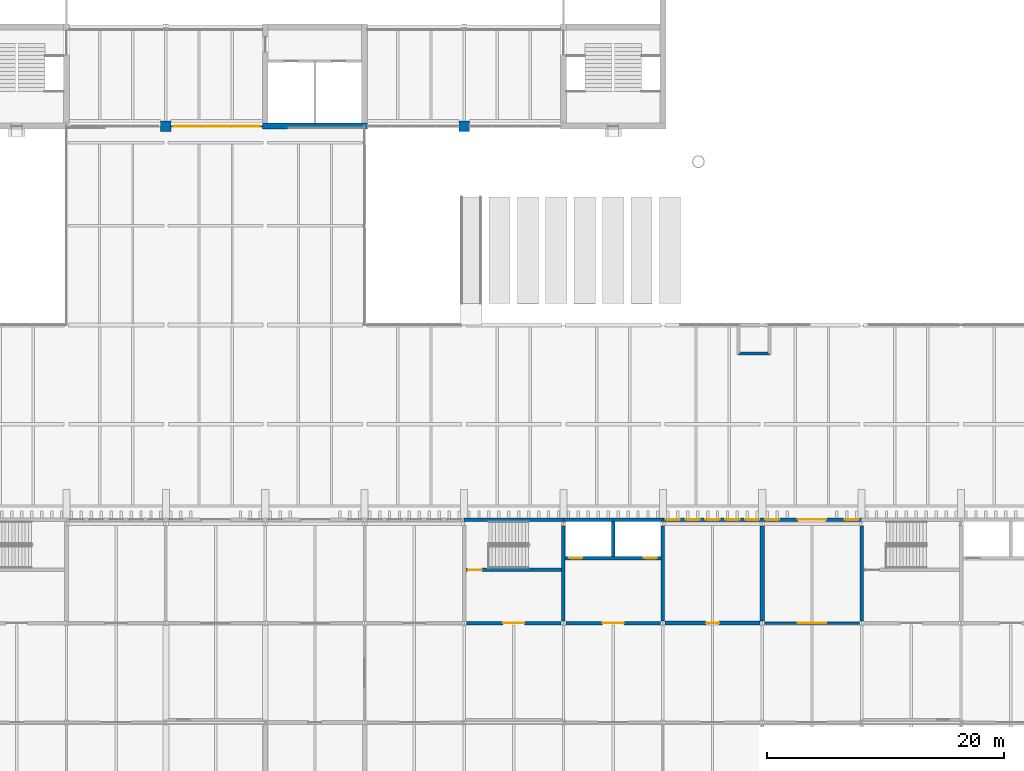
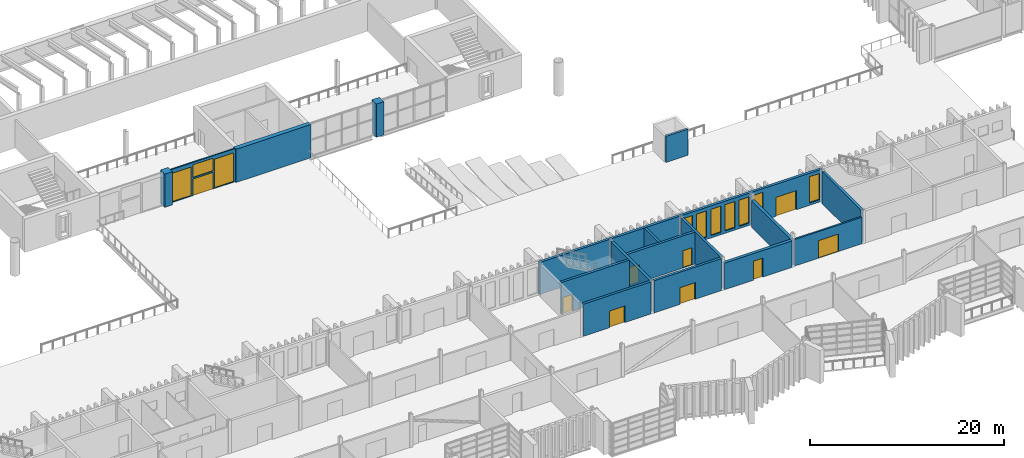
# One storey, part 62 of 96: 19 walls, 10 windows, 9 doors, 19 openings.
"""IFC4 building model written with IfcOpenShell, lengths in metres."""

from ifc_helpers import new_model, si_unit, direction, frame, frame_2d, origin, place, context, subcontext, project, spatial, rectangle, extrude, material, layer, layer_set, type_object, element, fill, save


model = new_model("IFC4")

# Units and contexts
model_context = context("Model", 3, precision=1e-05, world=origin(), true_north=direction((0.0, 1.0)))
body_context = subcontext(model_context, "Body", "Model", "MODEL_VIEW")
ifc_project = project(units=[si_unit("LENGTHUNIT", "METRE"), si_unit("AREAUNIT", "SQUARE_METRE"), si_unit("VOLUMEUNIT", "CUBIC_METRE"), si_unit("PLANEANGLEUNIT", "RADIAN"), si_unit("MASSUNIT", "GRAM", prefix="KILO")], contexts=[model_context])

# Site, building, storey
site_placement = place(None, origin())
site = spatial("IfcSite", under=ifc_project, at=site_placement, CompositionType="ELEMENT")
building_placement = place(site_placement, origin())
building = spatial("IfcBuilding", under=site, at=building_placement, Name="Cresset Court Congress Hotel", CompositionType="ELEMENT")
storey_placement = place(building_placement, frame((0.0, 0.0, 6.0)))
storey = spatial("IfcBuildingStorey", under=building, at=storey_placement, Name="L01", CompositionType="ELEMENT", Elevation=6.0)

# Wall, opening, door
ifc_material_1 = material(Name="Double gypsum board leaves on steel studs with mineral wool", Category="steel")
ifc_layer_1 = layer(ifc_material_1, 0.35009765625)
ifc_layer_set_1 = layer_set([ifc_layer_1], Name="Acoustic double-leaf boardroom wall 350")
wall_type_1 = type_object("IfcWallType", Name="Acoustic double-leaf boardroom wall 350", PredefinedType="PARTITIONING", material=ifc_layer_set_1)
wall_1_placement = place(storey_placement, frame((117.77490234375, 16.800048828125, 0.0), z_axis=(0.0, 0.0, 1.0), x_axis=(1.0, 0.0, 0.0)))
wall_1 = element("IfcWall", 1, at=wall_1_placement, inside=storey, type_object=wall_type_1, Name="Boardroom acoustic wall", PredefinedType="PARTITIONING", context=body_context, shape_type="SweptSolid", body=[
    extrude(rectangle(XDim=8.050048828125, YDim=0.35009765625, at=frame_2d((4.02490234375, 0.0))), origin(), (0.0, 0.0, 1.0), 3.35009765625),
])
opening_1_placement = place(wall_1_placement, frame((3.47509765625, 0.0, 0.0)))
opening_1 = element("IfcOpeningElement", 2, at=opening_1_placement, cuts=wall_1, Name="Opening DB-01-28", PredefinedType="OPENING", context=body_context, shape_type="SweptSolid", body=[
    extrude(rectangle(XDim=1.10009765625, YDim=2.39990234375, at=frame_2d((0.550048828125, 1.199951171875))), frame((0.0, 0.18505859375, 0.0), z_axis=(0.0, -1.0, 0.0), x_axis=(1.0, 0.0, 0.0)), (0.0, 0.0, 1.0), 0.3701171875),
])
ifc_material_2 = material(Name="Solid-core timber with acoustic seals", Category="wood")
door_type_1 = type_object("IfcDoorType", Name="Boardroom acoustic door FD30 1100x2400", OperationType="SINGLE_SWING_LEFT", PredefinedType="DOOR", material=ifc_material_2)
door_1_placement = place(opening_1_placement, origin())
door_1 = element("IfcDoor", 3, at=door_1_placement, inside=storey, type_object=door_type_1, Name="Boardroom door", OperationType="SINGLE_SWING_LEFT", OverallHeight=2.39990234375, OverallWidth=1.10009765625, PredefinedType="DOOR", context=body_context, shape_type="SweptSolid", body=[
    extrude(rectangle(XDim=1.10009765625, YDim=2.39990234375, at=frame_2d((0.550048828125, 1.199951171875))), frame((0.0, 0.02490234375, 0.0), z_axis=(0.0, -1.0, 0.0), x_axis=(1.0, 0.0, 0.0)), (0.0, 0.0, 1.0), 0.050048828125),
])
fill(opening_1, door_1)

# Walls
wall_2_placement = place(storey_placement, frame((126.0, 16.97509765625, 0.0), z_axis=(0.0, 0.0, 1.0), x_axis=(0.0, 1.0, 0.0)))
element("IfcWall", 4, at=wall_2_placement, inside=storey, type_object=wall_type_1, Name="Boardroom acoustic wall", PredefinedType="PARTITIONING", context=body_context, shape_type="SweptSolid", body=[
    extrude(rectangle(XDim=8.0498046875, YDim=0.35009765625, at=frame_2d((4.02490234375, 0.0))), origin(), (0.0, 0.0, 1.0), 3.35009765625),
])
ifc_material_3 = material(Name="Concrete C50", Category="concrete")
ifc_layer_2 = layer(ifc_material_3, 0.300048828125)
ifc_layer_set_2 = layer_set([ifc_layer_2], Name="Core wall 300 Concrete C50")
wall_type_2 = type_object("IfcWallType", Name="Core wall 300 Concrete C50", PredefinedType="SHEAR", material=ifc_layer_set_2)
for number, where, z_axis, x_axis, name in (
    (5, (109.199951171875, 17.0, 0.0), (0.0, 0.0, 1.0), (0.0, 1.0, 0.0), "Core wall LC-B2"),
    (6, (117.60009765625, 17.0, 0.0), (0.0, 0.0, 1.0), (0.0, 1.0, 0.0), "Core wall LC-B2"),
):
    element("IfcWall", number, at=place(storey_placement, frame(where, z_axis=z_axis, x_axis=x_axis)), inside=storey, type_object=wall_type_2, Name=name, PredefinedType="SHEAR", context=body_context, shape_type="SweptSolid", body=[
        extrude(rectangle(XDim=8.0, YDim=0.300048828125, at=frame_2d((4.0, 0.0))), origin(), (0.0, 0.0, 1.0), 4.050048828125),
    ])

# Wall, opening, door
wall_3_placement = place(storey_placement, frame((109.39990234375, 16.800048828125, 0.0), z_axis=(0.0, 0.0, 1.0), x_axis=(1.0, 0.0, 0.0)))
wall_3 = element("IfcWall", 7, at=wall_3_placement, inside=storey, type_object=wall_type_2, Name="Core wall LC-B2", PredefinedType="SHEAR", context=body_context, shape_type="SweptSolid", body=[
    extrude(rectangle(XDim=8.0, YDim=0.300048828125, at=frame_2d((4.0, 0.0))), origin(), (0.0, 0.0, 1.0), 4.050048828125),
])
opening_2_placement = place(wall_3_placement, frame((3.10009765625, 0.0, 0.0)))
opening_2 = element("IfcOpeningElement", 8, at=opening_2_placement, cuts=wall_3, Name="Opening DB-01-39", PredefinedType="OPENING", context=body_context, shape_type="SweptSolid", body=[
    extrude(rectangle(XDim=1.800048828125, YDim=2.10009765625, at=frame_2d((0.89990234375, 1.050048828125))), frame((0.0, 0.159912109375, 0.0), z_axis=(0.0, -1.0, 0.0), x_axis=(1.0, 0.0, 0.0)), (0.0, 0.0, 1.0), 0.320068359375),
])
ifc_material_4 = material(Name="Timber and steel frame", Category="steel")
door_type_2 = type_object("IfcDoorType", Name="Lobby fire door FD60 double 1800x2100", OperationType="DOUBLE_DOOR_SINGLE_SWING", PredefinedType="DOOR", material=ifc_material_4)
door_2_placement = place(opening_2_placement, origin())
door_2 = element("IfcDoor", 9, at=door_2_placement, inside=storey, type_object=door_type_2, Name="Lift lobby door LC-B2", OperationType="DOUBLE_DOOR_SINGLE_SWING", OverallHeight=2.10009765625, OverallWidth=1.800048828125, PredefinedType="DOOR", context=body_context, shape_type="SweptSolid", body=[
    extrude(rectangle(XDim=1.800048828125, YDim=2.10009765625, at=frame_2d((0.89990234375, 1.050048828125))), frame((0.0, 0.02490234375, 0.0), z_axis=(0.0, -1.0, 0.0), x_axis=(1.0, 0.0, 0.0)), (0.0, 0.0, 1.0), 0.050048828125),
])
fill(opening_2, door_2)

# Wall, openings, doors
wall_4_placement = place(storey_placement, frame((109.35009765625, 22.300048828125, 0.0), z_axis=(0.0, 0.0, 1.0), x_axis=(1.0, 0.0, 0.0)))
wall_4 = element("IfcWall", 10, at=wall_4_placement, inside=storey, type_object=wall_type_2, Name="Core wall LC-B2", PredefinedType="SHEAR", context=body_context, shape_type="SweptSolid", body=[
    extrude(rectangle(XDim=8.099853515625, YDim=0.300048828125, at=frame_2d((4.0498046875, 0.0))), origin(), (0.0, 0.0, 1.0), 4.050048828125),
])
opening_3_placement = place(wall_4_placement, frame((0.35009765625, 0.0, 0.0)))
opening_3 = element("IfcOpeningElement", 11, at=opening_3_placement, cuts=wall_4, Name="Opening LD-B2-05", PredefinedType="OPENING", context=body_context, shape_type="SweptSolid", body=[
    extrude(rectangle(XDim=1.10009765625, YDim=2.199951171875, at=frame_2d((0.550048828125, 1.10009765625))), frame((0.0, 0.159912109375, 0.0), z_axis=(0.0, -1.0, 0.0), x_axis=(1.0, 0.0, 0.0)), (0.0, 0.0, 1.0), 0.320068359375),
])
opening_4_placement = place(wall_4_placement, frame((6.64990234375, 0.0, 0.0)))
opening_4 = element("IfcOpeningElement", 12, at=opening_4_placement, cuts=wall_4, Name="Opening LD-B2-06", PredefinedType="OPENING", context=body_context, shape_type="SweptSolid", body=[
    extrude(rectangle(XDim=1.10009765625, YDim=2.199951171875, at=frame_2d((0.550048828125, 1.10009765625))), frame((0.0, 0.159912109375, 0.0), z_axis=(0.0, -1.0, 0.0), x_axis=(1.0, 0.0, 0.0)), (0.0, 0.0, 1.0), 0.320068359375),
])
ifc_material_5 = material(Name="Stainless steel", Category="steel")
door_type_3 = type_object("IfcDoorType", Name="Lift landing door sliding 1100x2200", OperationType="SLIDING_TO_LEFT", PredefinedType="DOOR", material=ifc_material_5)
door_3_placement = place(opening_3_placement, origin())
door_3 = element("IfcDoor", 13, at=door_3_placement, inside=storey, type_object=door_type_3, Name="Lift landing door LD-B2-05", OperationType="SLIDING_TO_LEFT", OverallHeight=2.199951171875, OverallWidth=1.10009765625, PredefinedType="DOOR", context=body_context, shape_type="SweptSolid", body=[
    extrude(rectangle(XDim=1.10009765625, YDim=2.199951171875, at=frame_2d((0.550048828125, 1.10009765625))), frame((0.0, 0.02490234375, 0.0), z_axis=(0.0, -1.0, 0.0), x_axis=(1.0, 0.0, 0.0)), (0.0, 0.0, 1.0), 0.050048828125),
])
fill(opening_3, door_3)
door_4_placement = place(opening_4_placement, origin())
door_4 = element("IfcDoor", 14, at=door_4_placement, inside=storey, type_object=door_type_3, Name="Lift landing door LD-B2-06", OperationType="SLIDING_TO_LEFT", OverallHeight=2.199951171875, OverallWidth=1.10009765625, PredefinedType="DOOR", context=body_context, shape_type="SweptSolid", body=[
    extrude(rectangle(XDim=1.10009765625, YDim=2.199951171875, at=frame_2d((0.550048828125, 1.10009765625))), frame((0.0, 0.02490234375, 0.0), z_axis=(0.0, -1.0, 0.0), x_axis=(1.0, 0.0, 0.0)), (0.0, 0.0, 1.0), 0.050048828125),
])
fill(opening_4, door_4)

# Wall
wall_5_placement = place(storey_placement, frame((113.39990234375, 22.449951171875, 0.0), z_axis=(0.0, 0.0, 1.0), x_axis=(0.0, 1.0, 0.0)))
element("IfcWall", 15, at=wall_5_placement, inside=storey, type_object=wall_type_2, Name="Core wall LC-B2", PredefinedType="SHEAR", context=body_context, shape_type="SweptSolid", body=[
    extrude(rectangle(XDim=2.949951171875, YDim=0.300048828125, at=frame_2d((1.47509765625, 0.0))), origin(), (0.0, 0.0, 1.0), 4.050048828125),
])

# Wall, opening, door
wall_6_placement = place(storey_placement, frame((101.0, 16.800048828125, 0.0), z_axis=(0.0, 0.0, 1.0), x_axis=(1.0, 0.0, 0.0)))
wall_6 = element("IfcWall", 16, at=wall_6_placement, inside=storey, type_object=wall_type_2, Name="Core wall ST-B4", PredefinedType="SHEAR", context=body_context, shape_type="SweptSolid", body=[
    extrude(rectangle(XDim=8.0, YDim=0.300048828125, at=frame_2d((4.0, 0.0))), origin(), (0.0, 0.0, 1.0), 4.050048828125),
])
opening_5_placement = place(wall_6_placement, frame((3.10009765625, 0.0, 0.0)))
opening_5 = element("IfcOpeningElement", 17, at=opening_5_placement, cuts=wall_6, Name="Opening DB-01-52", PredefinedType="OPENING", context=body_context, shape_type="SweptSolid", body=[
    extrude(rectangle(XDim=1.800048828125, YDim=2.10009765625, at=frame_2d((0.89990234375, 1.050048828125))), frame((0.0, 0.159912109375, 0.0), z_axis=(0.0, -1.0, 0.0), x_axis=(1.0, 0.0, 0.0)), (0.0, 0.0, 1.0), 0.320068359375),
])
door_5_placement = place(opening_5_placement, origin())
door_5 = element("IfcDoor", 18, at=door_5_placement, inside=storey, type_object=door_type_2, Name="Stair lobby door ST-B4", OperationType="DOUBLE_DOOR_SINGLE_SWING", OverallHeight=2.10009765625, OverallWidth=1.800048828125, PredefinedType="DOOR", context=body_context, shape_type="SweptSolid", body=[
    extrude(rectangle(XDim=1.800048828125, YDim=2.10009765625, at=frame_2d((0.89990234375, 1.050048828125))), frame((0.0, 0.02490234375, 0.0), z_axis=(0.0, -1.0, 0.0), x_axis=(1.0, 0.0, 0.0)), (0.0, 0.0, 1.0), 0.050048828125),
])
fill(opening_5, door_5)

wall_7_placement = place(storey_placement, frame((100.949951171875, 21.300048828125, 0.0), z_axis=(0.0, 0.0, 1.0), x_axis=(1.0, 0.0, 0.0)))
wall_7 = element("IfcWall", 19, at=wall_7_placement, inside=storey, type_object=wall_type_2, Name="Core wall ST-B4", PredefinedType="SHEAR", context=body_context, shape_type="SweptSolid", body=[
    extrude(rectangle(XDim=8.10009765625, YDim=0.300048828125, at=frame_2d((4.050048828125, 0.0))), origin(), (0.0, 0.0, 1.0), 4.050048828125),
])
opening_6_placement = place(wall_7_placement, frame((0.14990234375, 0.0, 0.0)))
opening_6 = element("IfcOpeningElement", 20, at=opening_6_placement, cuts=wall_7, Name="Opening DB-01-51", PredefinedType="OPENING", context=body_context, shape_type="SweptSolid", body=[
    extrude(rectangle(XDim=1.199951171875, YDim=2.10009765625, at=frame_2d((0.60009765625, 1.050048828125))), frame((0.0, 0.159912109375, 0.0), z_axis=(0.0, -1.0, 0.0), x_axis=(1.0, 0.0, 0.0)), (0.0, 0.0, 1.0), 0.320068359375),
])
ifc_material_6 = material(Name="Timber and steel frame", Category="steel")
door_type_4 = type_object("IfcDoorType", Name="Stair fire door FD60 1200x2100", OperationType="SINGLE_SWING_LEFT", PredefinedType="DOOR", material=ifc_material_6)
door_6_placement = place(opening_6_placement, origin())
door_6 = element("IfcDoor", 21, at=door_6_placement, inside=storey, type_object=door_type_4, Name="Stair door ST-B4", OperationType="SINGLE_SWING_LEFT", OverallHeight=2.10009765625, OverallWidth=1.199951171875, PredefinedType="DOOR", context=body_context, shape_type="SweptSolid", body=[
    extrude(rectangle(XDim=1.199951171875, YDim=2.10009765625, at=frame_2d((0.60009765625, 1.050048828125))), frame((0.0, 0.02490234375, 0.0), z_axis=(0.0, -1.0, 0.0), x_axis=(1.0, 0.0, 0.0)), (0.0, 0.0, 1.0), 0.050048828125),
])
fill(opening_6, door_6)

# Walls
wall_8_placement = place(storey_placement, frame((134.39990234375, 17.0, 0.0), z_axis=(0.0, 0.0, 1.0), x_axis=(0.0, 1.0, 0.0)))
element("IfcWall", 22, at=wall_8_placement, inside=storey, type_object=wall_type_2, Name="Core wall ST-B5", PredefinedType="SHEAR", context=body_context, shape_type="SweptSolid", body=[
    extrude(rectangle(XDim=8.0, YDim=0.300048828125, at=frame_2d((4.0, 0.0))), origin(), (0.0, 0.0, 1.0), 4.050048828125),
])
ifc_material_7 = material(Name="Concrete C50", Category="concrete")
ifc_layer_3 = layer(ifc_material_7, 0.300048828125)
ifc_layer_set_3 = layer_set([ifc_layer_3], Name="Core wall 300 Concrete C50 external")
wall_type_3 = type_object("IfcWallType", Name="Core wall 300 Concrete C50 external", PredefinedType="SHEAR", material=ifc_layer_set_3)
wall_9_placement = place(storey_placement, frame((109.199951171875, 25.550048828125, 0.0), z_axis=(0.0, 0.0, 1.0), x_axis=(1.0, 0.0, 0.0)))
element("IfcWall", 23, at=wall_9_placement, inside=storey, type_object=wall_type_3, Name="Core wall LC-B2", PredefinedType="SHEAR", context=body_context, shape_type="SweptSolid", body=[
    extrude(rectangle(XDim=8.400146484375, YDim=0.300048828125, at=frame_2d((4.2001953125, 0.0))), origin(), (0.0, 0.0, 1.0), 4.050048828125),
])
wall_10_placement = place(storey_placement, frame((100.800048828125, 25.550048828125, 0.0), z_axis=(0.0, 0.0, 1.0), x_axis=(1.0, 0.0, 0.0)))
element("IfcWall", 24, at=wall_10_placement, inside=storey, type_object=wall_type_3, Name="Core wall ST-B4", PredefinedType="SHEAR", context=body_context, shape_type="SweptSolid", body=[
    extrude(rectangle(XDim=8.39990234375, YDim=0.300048828125, at=frame_2d((4.199951171875, 0.0))), origin(), (0.0, 0.0, 1.0), 4.050048828125),
])

# Wall, openings, door, windows
ifc_material_8 = material(Name="Aluminium and glass", Category="aluminium")
ifc_layer_4 = layer(ifc_material_8, 0.14990234375)
ifc_layer_set_4 = layer_set([ifc_layer_4], Name="Entrance screen wall 150")
wall_type_4 = type_object("IfcWallType", Name="Entrance screen wall 150", PredefinedType="SOLIDWALL", material=ifc_layer_set_4)
wall_11_placement = place(storey_placement, frame((76.050048828125, 58.800048828125, 0.0), z_axis=(0.0, 0.0, 1.0), x_axis=(1.0, 0.0, 0.0)))
wall_11 = element("IfcWall", 25, at=wall_11_placement, inside=storey, type_object=wall_type_4, Name="Screen wall CX-012", PredefinedType="SOLIDWALL", context=body_context, shape_type="SweptSolid", body=[
    extrude(rectangle(XDim=7.699951171875, YDim=0.14990234375, at=frame_2d((3.85009765625, 0.0))), origin(), (0.0, 0.0, 1.0), 4.199951171875),
])
opening_7_placement = place(wall_11_placement, frame((2.64990234375, 0.0, 0.0)))
opening_7 = element("IfcOpeningElement", 26, at=opening_7_placement, cuts=wall_11, Name="Opening DC-01-42", PredefinedType="OPENING", context=body_context, shape_type="SweptSolid", body=[
    extrude(rectangle(XDim=2.39990234375, YDim=2.10009765625, at=frame_2d((1.199951171875, 1.050048828125))), frame((0.0, 0.0849609375, 0.0), z_axis=(0.0, -1.0, 0.0), x_axis=(1.0, 0.0, 0.0)), (0.0, 0.0, 1.0), 0.169921875),
])
opening_8_placement = place(wall_11_placement, frame((0.199951171875, 0.0, 0.10009765625)))
opening_8 = element("IfcOpeningElement", 27, at=opening_8_placement, cuts=wall_11, Name="Opening NC-01-21", PredefinedType="OPENING", context=body_context, shape_type="SweptSolid", body=[
    extrude(rectangle(XDim=2.25, YDim=3.60009765625, at=frame_2d((1.125, 1.800048828125))), frame((0.0, 0.0849609375, 0.0), z_axis=(0.0, -1.0, 0.0), x_axis=(1.0, 0.0, 0.0)), (0.0, 0.0, 1.0), 0.169921875),
])
opening_9_placement = place(wall_11_placement, frame((5.25, 0.0, 0.10009765625)))
opening_9 = element("IfcOpeningElement", 28, at=opening_9_placement, cuts=wall_11, Name="Opening NC-01-22", PredefinedType="OPENING", context=body_context, shape_type="SweptSolid", body=[
    extrude(rectangle(XDim=2.25, YDim=3.60009765625, at=frame_2d((1.125, 1.800048828125))), frame((0.0, 0.0849609375, 0.0), z_axis=(0.0, -1.0, 0.0), x_axis=(1.0, 0.0, 0.0)), (0.0, 0.0, 1.0), 0.169921875),
])
opening_10_placement = place(wall_11_placement, frame((2.64990234375, 0.0, 2.300048828125)))
opening_10 = element("IfcOpeningElement", 29, at=opening_10_placement, cuts=wall_11, Name="Opening NC-01-23", PredefinedType="OPENING", context=body_context, shape_type="SweptSolid", body=[
    extrude(rectangle(XDim=2.39990234375, YDim=1.60009765625, at=frame_2d((1.199951171875, 0.800048828125))), frame((0.0, 0.0849609375, 0.0), z_axis=(0.0, -1.0, 0.0), x_axis=(1.0, 0.0, 0.0)), (0.0, 0.0, 1.0), 0.169921875),
])
ifc_material_9 = material(Name="Aluminium and glass", Category="aluminium")
door_type_5 = type_object("IfcDoorType", Name="Double swing door 2400x2100", OperationType="DOUBLE_DOOR_DOUBLE_SWING", PredefinedType="DOOR", material=ifc_material_9)
door_7_placement = place(opening_7_placement, origin())
door_7 = element("IfcDoor", 30, at=door_7_placement, inside=storey, type_object=door_type_5, Name="Entrance door L01 2", OperationType="DOUBLE_DOOR_DOUBLE_SWING", OverallHeight=2.10009765625, OverallWidth=2.39990234375, PredefinedType="DOOR", context=body_context, shape_type="SweptSolid", body=[
    extrude(rectangle(XDim=2.39990234375, YDim=2.10009765625, at=frame_2d((1.199951171875, 1.050048828125))), frame((0.0, 0.02490234375, 0.0), z_axis=(0.0, -1.0, 0.0), x_axis=(1.0, 0.0, 0.0)), (0.0, 0.0, 1.0), 0.050048828125),
])
fill(opening_7, door_7)
ifc_material_10 = material(Name="Aluminium and glass", Category="aluminium")
window_type_1 = type_object("IfcWindowType", Name="Fixed window 2250x3600", PartitioningType="SINGLE_PANEL", PredefinedType="WINDOW", material=ifc_material_10)
window_1_placement = place(opening_8_placement, origin())
window_1 = element("IfcWindow", 31, at=window_1_placement, inside=storey, type_object=window_type_1, Name="Window NC-01-21", OverallHeight=3.60009765625, OverallWidth=2.25, PartitioningType="SINGLE_PANEL", PredefinedType="WINDOW", context=body_context, shape_type="SweptSolid", body=[
    extrude(rectangle(XDim=2.25, YDim=3.60009765625, at=frame_2d((1.125, 1.800048828125))), frame((0.0, 0.030029296875, 0.0), z_axis=(0.0, -1.0, 0.0), x_axis=(1.0, 0.0, 0.0)), (0.0, 0.0, 1.0), 0.06005859375),
])
fill(opening_8, window_1)
window_2_placement = place(opening_9_placement, origin())
window_2 = element("IfcWindow", 32, at=window_2_placement, inside=storey, type_object=window_type_1, Name="Window NC-01-22", OverallHeight=3.60009765625, OverallWidth=2.25, PartitioningType="SINGLE_PANEL", PredefinedType="WINDOW", context=body_context, shape_type="SweptSolid", body=[
    extrude(rectangle(XDim=2.25, YDim=3.60009765625, at=frame_2d((1.125, 1.800048828125))), frame((0.0, 0.030029296875, 0.0), z_axis=(0.0, -1.0, 0.0), x_axis=(1.0, 0.0, 0.0)), (0.0, 0.0, 1.0), 0.06005859375),
])
fill(opening_9, window_2)
ifc_material_11 = material(Name="Aluminium and glass", Category="aluminium")
window_type_2 = type_object("IfcWindowType", Name="Fixed window 2400x1600", PartitioningType="SINGLE_PANEL", PredefinedType="WINDOW", material=ifc_material_11)
window_3_placement = place(opening_10_placement, origin())
window_3 = element("IfcWindow", 33, at=window_3_placement, inside=storey, type_object=window_type_2, Name="Window NC-01-23", OverallHeight=1.60009765625, OverallWidth=2.39990234375, PartitioningType="SINGLE_PANEL", PredefinedType="WINDOW", context=body_context, shape_type="SweptSolid", body=[
    extrude(rectangle(XDim=2.39990234375, YDim=1.60009765625, at=frame_2d((1.199951171875, 0.800048828125))), frame((0.0, 0.030029296875, 0.0), z_axis=(0.0, -1.0, 0.0), x_axis=(1.0, 0.0, 0.0)), (0.0, 0.0, 1.0), 0.06005859375),
])
fill(opening_10, window_3)

ifc_material_12 = material(Name="Concrete C40", Category="concrete")
ifc_layer_5 = layer(ifc_material_12, 0.300048828125)
ifc_layer_set_5 = layer_set([ifc_layer_5], Name="External wall 300 Concrete C40")
wall_type_5 = type_object("IfcWallType", Name="External wall 300 Concrete C40", PredefinedType="SOLIDWALL", material=ifc_layer_set_5)
wall_12_placement = place(storey_placement, frame((117.5, 25.550048828125, 0.0), z_axis=(0.0, 0.0, 1.0), x_axis=(1.0, 0.0, 0.0)))
wall_12 = element("IfcWall", 34, at=wall_12_placement, inside=storey, type_object=wall_type_5, Name="External wall", PredefinedType="SOLIDWALL", context=body_context, shape_type="SweptSolid", body=[
    extrude(rectangle(XDim=17.0, YDim=0.300048828125, at=frame_2d((8.5, 0.0))), origin(), (0.0, 0.0, 1.0), 4.050048828125),
])
opening_11_placement = place(wall_12_placement, frame((11.5, 0.0, 0.0)))
opening_11 = element("IfcOpeningElement", 35, at=opening_11_placement, cuts=wall_12, Name="Opening DB-01-04", PredefinedType="OPENING", context=body_context, shape_type="SweptSolid", body=[
    extrude(rectangle(XDim=2.39990234375, YDim=2.39990234375, at=frame_2d((1.199951171875, 1.199951171875))), frame((0.0, 0.159912109375, 0.0), z_axis=(0.0, -1.0, 0.0), x_axis=(1.0, 0.0, 0.0)), (0.0, 0.0, 1.0), 0.320068359375),
])
opening_12_placement = place(wall_12_placement, frame((0.340087890625, 0.0, 0.300048828125)))
opening_12 = element("IfcOpeningElement", 36, at=opening_12_placement, cuts=wall_12, Name="Opening NB-01-73", PredefinedType="OPENING", context=body_context, shape_type="SweptSolid", body=[
    extrude(rectangle(XDim=1.199951171875, YDim=3.300048828125, at=frame_2d((0.60009765625, 1.64990234375))), frame((0.0, 0.159912109375, 0.0), z_axis=(0.0, -1.0, 0.0), x_axis=(1.0, 0.0, 0.0)), (0.0, 0.0, 1.0), 0.320068359375),
])
opening_13_placement = place(wall_12_placement, frame((2.02001953125, 0.0, 0.300048828125)))
opening_13 = element("IfcOpeningElement", 37, at=opening_13_placement, cuts=wall_12, Name="Opening NB-01-74", PredefinedType="OPENING", context=body_context, shape_type="SweptSolid", body=[
    extrude(rectangle(XDim=1.199951171875, YDim=3.300048828125, at=frame_2d((0.60009765625, 1.64990234375))), frame((0.0, 0.159912109375, 0.0), z_axis=(0.0, -1.0, 0.0), x_axis=(1.0, 0.0, 0.0)), (0.0, 0.0, 1.0), 0.320068359375),
])
opening_14_placement = place(wall_12_placement, frame((3.699951171875, 0.0, 0.300048828125)))
opening_14 = element("IfcOpeningElement", 38, at=opening_14_placement, cuts=wall_12, Name="Opening NB-01-75", PredefinedType="OPENING", context=body_context, shape_type="SweptSolid", body=[
    extrude(rectangle(XDim=1.199951171875, YDim=3.300048828125, at=frame_2d((0.60009765625, 1.64990234375))), frame((0.0, 0.159912109375, 0.0), z_axis=(0.0, -1.0, 0.0), x_axis=(1.0, 0.0, 0.0)), (0.0, 0.0, 1.0), 0.320068359375),
])
opening_15_placement = place(wall_12_placement, frame((5.3798828125, 0.0, 0.300048828125)))
opening_15 = element("IfcOpeningElement", 39, at=opening_15_placement, cuts=wall_12, Name="Opening NB-01-76", PredefinedType="OPENING", context=body_context, shape_type="SweptSolid", body=[
    extrude(rectangle(XDim=1.199951171875, YDim=3.300048828125, at=frame_2d((0.60009765625, 1.64990234375))), frame((0.0, 0.159912109375, 0.0), z_axis=(0.0, -1.0, 0.0), x_axis=(1.0, 0.0, 0.0)), (0.0, 0.0, 1.0), 0.320068359375),
])
opening_16_placement = place(wall_12_placement, frame((7.06005859375, 0.0, 0.300048828125)))
opening_16 = element("IfcOpeningElement", 40, at=opening_16_placement, cuts=wall_12, Name="Opening NB-01-77", PredefinedType="OPENING", context=body_context, shape_type="SweptSolid", body=[
    extrude(rectangle(XDim=1.199951171875, YDim=3.300048828125, at=frame_2d((0.60009765625, 1.64990234375))), frame((0.0, 0.159912109375, 0.0), z_axis=(0.0, -1.0, 0.0), x_axis=(1.0, 0.0, 0.0)), (0.0, 0.0, 1.0), 0.320068359375),
])
opening_17_placement = place(wall_12_placement, frame((8.739990234375, 0.0, 0.300048828125)))
opening_17 = element("IfcOpeningElement", 41, at=opening_17_placement, cuts=wall_12, Name="Opening NB-01-78", PredefinedType="OPENING", context=body_context, shape_type="SweptSolid", body=[
    extrude(rectangle(XDim=1.199951171875, YDim=3.300048828125, at=frame_2d((0.60009765625, 1.64990234375))), frame((0.0, 0.159912109375, 0.0), z_axis=(0.0, -1.0, 0.0), x_axis=(1.0, 0.0, 0.0)), (0.0, 0.0, 1.0), 0.320068359375),
])
opening_18_placement = place(wall_12_placement, frame((15.4599609375, 0.0, 0.300048828125)))
opening_18 = element("IfcOpeningElement", 42, at=opening_18_placement, cuts=wall_12, Name="Opening NB-01-79", PredefinedType="OPENING", context=body_context, shape_type="SweptSolid", body=[
    extrude(rectangle(XDim=1.199951171875, YDim=3.300048828125, at=frame_2d((0.60009765625, 1.64990234375))), frame((0.0, 0.159912109375, 0.0), z_axis=(0.0, -1.0, 0.0), x_axis=(1.0, 0.0, 0.0)), (0.0, 0.0, 1.0), 0.320068359375),
])
ifc_material_13 = material(Name="Aluminium frame with toughened glass", Category="aluminium")
door_type_6 = type_object("IfcDoorType", Name="Gallery door glazed double 2400x2400", OperationType="DOUBLE_DOOR_SINGLE_SWING", PredefinedType="DOOR", material=ifc_material_13)
door_8_placement = place(opening_11_placement, origin())
door_8 = element("IfcDoor", 43, at=door_8_placement, inside=storey, type_object=door_type_6, Name="Gallery door", OperationType="DOUBLE_DOOR_SINGLE_SWING", OverallHeight=2.39990234375, OverallWidth=2.39990234375, PredefinedType="DOOR", context=body_context, shape_type="SweptSolid", body=[
    extrude(rectangle(XDim=2.39990234375, YDim=2.39990234375, at=frame_2d((1.199951171875, 1.199951171875))), frame((0.0, 0.02490234375, 0.0), z_axis=(0.0, -1.0, 0.0), x_axis=(1.0, 0.0, 0.0)), (0.0, 0.0, 1.0), 0.050048828125),
])
fill(opening_11, door_8)
ifc_material_14 = material(Name="Aluminium frame with double glazing", Category="aluminium")
window_type_3 = type_object("IfcWindowType", Name="Window 1200x3300", PartitioningType="TRIPLE_PANEL_VERTICAL", PredefinedType="WINDOW", material=ifc_material_14)
window_4_placement = place(opening_12_placement, origin())
window_4 = element("IfcWindow", 44, at=window_4_placement, inside=storey, type_object=window_type_3, Name="Window NB-01-73", OverallHeight=3.300048828125, OverallWidth=1.199951171875, PartitioningType="TRIPLE_PANEL_VERTICAL", PredefinedType="WINDOW", context=body_context, shape_type="SweptSolid", body=[
    extrude(rectangle(XDim=1.199951171875, YDim=3.300048828125, at=frame_2d((0.60009765625, 1.64990234375))), frame((0.0, 0.030029296875, 0.0), z_axis=(0.0, -1.0, 0.0), x_axis=(1.0, 0.0, 0.0)), (0.0, 0.0, 1.0), 0.06005859375),
])
fill(opening_12, window_4)
window_5_placement = place(opening_13_placement, origin())
window_5 = element("IfcWindow", 45, at=window_5_placement, inside=storey, type_object=window_type_3, Name="Window NB-01-74", OverallHeight=3.300048828125, OverallWidth=1.199951171875, PartitioningType="TRIPLE_PANEL_VERTICAL", PredefinedType="WINDOW", context=body_context, shape_type="SweptSolid", body=[
    extrude(rectangle(XDim=1.199951171875, YDim=3.300048828125, at=frame_2d((0.60009765625, 1.64990234375))), frame((0.0, 0.030029296875, 0.0), z_axis=(0.0, -1.0, 0.0), x_axis=(1.0, 0.0, 0.0)), (0.0, 0.0, 1.0), 0.06005859375),
])
fill(opening_13, window_5)
window_6_placement = place(opening_14_placement, origin())
window_6 = element("IfcWindow", 46, at=window_6_placement, inside=storey, type_object=window_type_3, Name="Window NB-01-75", OverallHeight=3.300048828125, OverallWidth=1.199951171875, PartitioningType="TRIPLE_PANEL_VERTICAL", PredefinedType="WINDOW", context=body_context, shape_type="SweptSolid", body=[
    extrude(rectangle(XDim=1.199951171875, YDim=3.300048828125, at=frame_2d((0.60009765625, 1.64990234375))), frame((0.0, 0.030029296875, 0.0), z_axis=(0.0, -1.0, 0.0), x_axis=(1.0, 0.0, 0.0)), (0.0, 0.0, 1.0), 0.06005859375),
])
fill(opening_14, window_6)
window_7_placement = place(opening_15_placement, origin())
window_7 = element("IfcWindow", 47, at=window_7_placement, inside=storey, type_object=window_type_3, Name="Window NB-01-76", OverallHeight=3.300048828125, OverallWidth=1.199951171875, PartitioningType="TRIPLE_PANEL_VERTICAL", PredefinedType="WINDOW", context=body_context, shape_type="SweptSolid", body=[
    extrude(rectangle(XDim=1.199951171875, YDim=3.300048828125, at=frame_2d((0.60009765625, 1.64990234375))), frame((0.0, 0.030029296875, 0.0), z_axis=(0.0, -1.0, 0.0), x_axis=(1.0, 0.0, 0.0)), (0.0, 0.0, 1.0), 0.06005859375),
])
fill(opening_15, window_7)
window_8_placement = place(opening_16_placement, origin())
window_8 = element("IfcWindow", 48, at=window_8_placement, inside=storey, type_object=window_type_3, Name="Window NB-01-77", OverallHeight=3.300048828125, OverallWidth=1.199951171875, PartitioningType="TRIPLE_PANEL_VERTICAL", PredefinedType="WINDOW", context=body_context, shape_type="SweptSolid", body=[
    extrude(rectangle(XDim=1.199951171875, YDim=3.300048828125, at=frame_2d((0.60009765625, 1.64990234375))), frame((0.0, 0.030029296875, 0.0), z_axis=(0.0, -1.0, 0.0), x_axis=(1.0, 0.0, 0.0)), (0.0, 0.0, 1.0), 0.06005859375),
])
fill(opening_16, window_8)
window_9_placement = place(opening_17_placement, origin())
window_9 = element("IfcWindow", 49, at=window_9_placement, inside=storey, type_object=window_type_3, Name="Window NB-01-78", OverallHeight=3.300048828125, OverallWidth=1.199951171875, PartitioningType="TRIPLE_PANEL_VERTICAL", PredefinedType="WINDOW", context=body_context, shape_type="SweptSolid", body=[
    extrude(rectangle(XDim=1.199951171875, YDim=3.300048828125, at=frame_2d((0.60009765625, 1.64990234375))), frame((0.0, 0.030029296875, 0.0), z_axis=(0.0, -1.0, 0.0), x_axis=(1.0, 0.0, 0.0)), (0.0, 0.0, 1.0), 0.06005859375),
])
fill(opening_17, window_9)
window_10_placement = place(opening_18_placement, origin())
window_10 = element("IfcWindow", 50, at=window_10_placement, inside=storey, type_object=window_type_3, Name="Window NB-01-79", OverallHeight=3.300048828125, OverallWidth=1.199951171875, PartitioningType="TRIPLE_PANEL_VERTICAL", PredefinedType="WINDOW", context=body_context, shape_type="SweptSolid", body=[
    extrude(rectangle(XDim=1.199951171875, YDim=3.300048828125, at=frame_2d((0.60009765625, 1.64990234375))), frame((0.0, 0.030029296875, 0.0), z_axis=(0.0, -1.0, 0.0), x_axis=(1.0, 0.0, 0.0)), (0.0, 0.0, 1.0), 0.06005859375),
])
fill(opening_18, window_10)

# Wall, opening, door
ifc_material_15 = material(Name="Gypsum board on steel studs", Category="steel")
ifc_layer_6 = layer(ifc_material_15, 0.199951171875)
ifc_layer_set_6 = layer_set([ifc_layer_6], Name="Foyer wall 200")
wall_type_6 = type_object("IfcWallType", Name="Foyer wall 200", PredefinedType="PARTITIONING", material=ifc_layer_set_6)
wall_13_placement = place(storey_placement, frame((126.175048828125, 16.800048828125, 0.0), z_axis=(0.0, 0.0, 1.0), x_axis=(1.0, 0.0, 0.0)))
wall_13 = element("IfcWall", 51, at=wall_13_placement, inside=storey, type_object=wall_type_6, Name="Foyer wall", PredefinedType="PARTITIONING", context=body_context, shape_type="SweptSolid", body=[
    extrude(rectangle(XDim=8.050048828125, YDim=0.199951171875, at=frame_2d((4.02490234375, 0.0))), origin(), (0.0, 0.0, 1.0), 3.35009765625),
])
opening_19_placement = place(wall_13_placement, frame((2.824951171875, 0.0, 0.0)))
opening_19 = element("IfcOpeningElement", 52, at=opening_19_placement, cuts=wall_13, Name="Opening DB-01-29", PredefinedType="OPENING", context=body_context, shape_type="SweptSolid", body=[
    extrude(rectangle(XDim=2.39990234375, YDim=2.199951171875, at=frame_2d((1.199951171875, 1.10009765625))), frame((0.0, 0.10986328125, 0.0), z_axis=(0.0, -1.0, 0.0), x_axis=(1.0, 0.0, 0.0)), (0.0, 0.0, 1.0), 0.219970703125),
])
ifc_material_16 = material(Name="Fire-resisting glazing in steel frame", Category="steel")
door_type_7 = type_object("IfcDoorType", Name="Smoke door glazed double 2400x2200", OperationType="DOUBLE_DOOR_SINGLE_SWING", PredefinedType="DOOR", material=ifc_material_16)
door_9_placement = place(opening_19_placement, origin())
door_9 = element("IfcDoor", 53, at=door_9_placement, inside=storey, type_object=door_type_7, Name="Gallery door", OperationType="DOUBLE_DOOR_SINGLE_SWING", OverallHeight=2.199951171875, OverallWidth=2.39990234375, PredefinedType="DOOR", context=body_context, shape_type="SweptSolid", body=[
    extrude(rectangle(XDim=2.39990234375, YDim=2.199951171875, at=frame_2d((1.199951171875, 1.10009765625))), frame((0.0, 0.02490234375, 0.0), z_axis=(0.0, -1.0, 0.0), x_axis=(1.0, 0.0, 0.0)), (0.0, 0.0, 1.0), 0.050048828125),
])
fill(opening_19, door_9)

# Walls
ifc_material_17 = material(Name="Limestone-faced precast concrete C50", Category="masonry")
ifc_layer_7 = layer(ifc_material_17, 0.5)
ifc_layer_set_7 = layer_set([ifc_layer_7], Name="Hall perimeter wall 500")
wall_type_7 = type_object("IfcWallType", Name="Hall perimeter wall 500", PredefinedType="SOLIDWALL", material=ifc_layer_set_7)
wall_14_placement = place(storey_placement, frame((92.64990234375, 58.800048828125, 0.0), z_axis=(0.0, 0.0, 1.0), x_axis=(-1.0, 0.0, 0.0)))
element("IfcWall", 54, at=wall_14_placement, inside=storey, type_object=wall_type_7, Name="Wall CW-SL01-2", PredefinedType="SOLIDWALL", context=body_context, shape_type="SweptSolid", body=[
    extrude(rectangle(XDim=8.89990234375, YDim=0.5, at=frame_2d((4.449951171875, 0.0))), origin(), (0.0, 0.0, 1.0), 4.199951171875),
])
ifc_material_18 = material(Name="Concrete C50", Category="concrete")
ifc_layer_8 = layer(ifc_material_18, 0.89990234375)
ifc_layer_set_8 = layer_set([ifc_layer_8], Name="Hall pilaster 900x900")
wall_type_8 = type_object("IfcWallType", Name="Hall pilaster 900x900", PredefinedType="SOLIDWALL", material=ifc_layer_set_8)
wall_15_placement = place(storey_placement, frame((75.14990234375, 58.800048828125, 0.0), z_axis=(0.0, 0.0, 1.0), x_axis=(1.0, 0.0, 0.0)))
element("IfcWall", 55, at=wall_15_placement, inside=storey, type_object=wall_type_8, Name="Pilaster P-S1", PredefinedType="SOLIDWALL", context=body_context, shape_type="SweptSolid", body=[
    extrude(rectangle(XDim=0.900146484375, YDim=0.89990234375, at=frame_2d((0.4501953125, 0.0))), origin(), (0.0, 0.0, 1.0), 4.199951171875),
])
wall_16_placement = place(storey_placement, frame((100.35009765625, 58.800048828125, 0.0), z_axis=(0.0, 0.0, 1.0), x_axis=(1.0, 0.0, 0.0)))
element("IfcWall", 56, at=wall_16_placement, inside=storey, type_object=wall_type_8, Name="Pilaster P-S2", PredefinedType="SOLIDWALL", context=body_context, shape_type="SweptSolid", body=[
    extrude(rectangle(XDim=0.89990234375, YDim=0.89990234375, at=frame_2d((0.449951171875, 0.0))), origin(), (0.0, 0.0, 1.0), 4.199951171875),
])
ifc_material_19 = material(Name="Concrete C50", Category="concrete")
ifc_layer_9 = layer(ifc_material_19, 0.25)
ifc_layer_set_9 = layer_set([ifc_layer_9], Name="Lift shaft wall 250")
wall_type_9 = type_object("IfcWallType", Name="Lift shaft wall 250", PredefinedType="SOLIDWALL", material=ifc_layer_set_9)
wall_17_placement = place(storey_placement, frame((124.0, 39.60009765625, 0.0), z_axis=(0.0, 0.0, 1.0), x_axis=(1.0, 0.0, 0.0)))
element("IfcWall", 57, at=wall_17_placement, inside=storey, type_object=wall_type_9, Name="S.lift.L01.LF-S1.S", PredefinedType="SOLIDWALL", context=body_context, shape_type="SweptSolid", body=[
    extrude(rectangle(XDim=2.60009765625, YDim=0.25, at=frame_2d((1.300048828125, 0.0))), origin(), (0.0, 0.0, 1.0), 3.300048828125),
])

save(model, "model.ifc")
